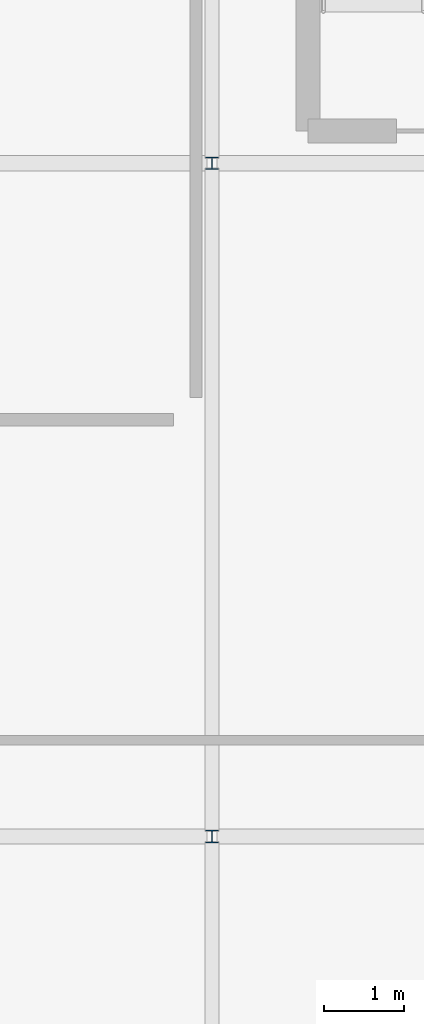
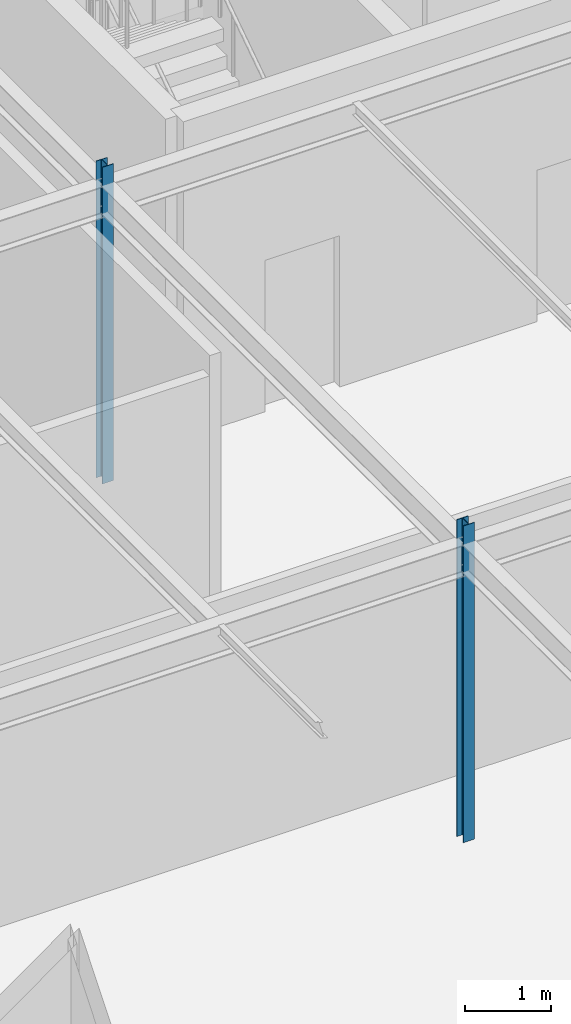
# One storey, part 22 of 119: 2 columns.
"""IFC4 building model written with IfcOpenShell, lengths in metres."""

from ifc_helpers import new_model, si_unit, derived_unit, direction, frame, origin, origin_2d_with_axis, place, context, subcontext, project, spatial, i_section, extrude, material, material_profile, profile_set, type_object, element, save


model = new_model("IFC4")

# Units and contexts
model_context = context("Model", 3, precision=1e-05, world=origin(), true_north=direction((0.0, 1.0)))
body_context = subcontext(model_context, "Body", "Model", "MODEL_VIEW")
ifc_project = project(units=[si_unit("LENGTHUNIT", "METRE"), si_unit("AREAUNIT", "SQUARE_METRE"), si_unit("VOLUMEUNIT", "CUBIC_METRE"), si_unit("PLANEANGLEUNIT", "RADIAN"), si_unit("MASSUNIT", "GRAM", prefix="KILO"), derived_unit("THERMALTRANSMITTANCEUNIT", [(si_unit("POWERUNIT", "WATT"), 1), (si_unit("LENGTHUNIT", "METRE"), -2), (si_unit("THERMODYNAMICTEMPERATUREUNIT", "KELVIN"), -1)])], contexts=[model_context])

# Site, building, storey
site_placement = place(None, origin())
site = spatial("IfcSite", under=ifc_project, at=site_placement, CompositionType="ELEMENT")
building_placement = place(site_placement, origin())
building = spatial("IfcBuilding", under=site, at=building_placement, Name="Cinnabar Yard Market Hall", CompositionType="ELEMENT")
storey_placement = place(building_placement, origin())
storey = spatial("IfcBuildingStorey", under=building, at=storey_placement, Name="L00", CompositionType="ELEMENT", Elevation=0.0)

# Columns
ifc_material = material(Name="Steel Grade 300 (300 MPa)", Category="steel")
ifc_material_profile_1 = material_profile(ifc_material, i_section(OverallWidth=0.15283203125, OverallDepth=0.15771484375, WebThickness=0.006591796875, FlangeThickness=0.009521484375, FilletRadius=0.0087890625, at=origin_2d_with_axis()), Name="150UC30.0")
ifc_profile_set_1 = profile_set([ifc_material_profile_1], Name="Steel Grade 300 (300 MPa)")
column_type_1 = type_object("IfcColumnType", Name="COL-C18", PredefinedType="COLUMN", material=ifc_profile_set_1)
column_1_placement = place(storey_placement, frame((96.0, 121.199951171875, 0.0), z_axis=(0.0, 0.0, 1.0), x_axis=(1.0, 0.0, 0.0)))
element("IfcColumn", 1, at=column_1_placement, inside=storey, type_object=column_type_1, Name="Wing Column V3-04-03 L00", PredefinedType="COLUMN", context=body_context, shape_type="SweptSolid", body=[
    extrude(i_section(OverallWidth=0.15283203125, OverallDepth=0.15771484375, WebThickness=0.006591796875, FlangeThickness=0.009521484375, FilletRadius=0.0087890625, at=origin_2d_with_axis()), origin(), (0.0, 0.0, 1.0), 4.5),
])
ifc_material_profile_2 = material_profile(ifc_material, i_section(OverallWidth=0.152099609375, OverallDepth=0.15234375, WebThickness=0.005859375, FlangeThickness=0.0068359375, FilletRadius=0.0087890625, at=origin_2d_with_axis()), Name="150UC23.4")
ifc_profile_set_2 = profile_set([ifc_material_profile_2], Name="Steel Grade 300 (300 MPa)")
column_type_2 = type_object("IfcColumnType", Name="COL-C19", PredefinedType="COLUMN", material=ifc_profile_set_2)
column_2_placement = place(storey_placement, frame((96.0, 129.60009765625, 0.0), z_axis=(0.0, 0.0, 1.0), x_axis=(1.0, 0.0, 0.0)))
element("IfcColumn", 2, at=column_2_placement, inside=storey, type_object=column_type_2, Name="Wing Column V3-04-04 L00", PredefinedType="COLUMN", context=body_context, shape_type="SweptSolid", body=[
    extrude(i_section(OverallWidth=0.152099609375, OverallDepth=0.15234375, WebThickness=0.005859375, FlangeThickness=0.0068359375, FilletRadius=0.0087890625, at=origin_2d_with_axis()), origin(), (0.0, 0.0, 1.0), 4.5),
])

save(model, "model.ifc")
